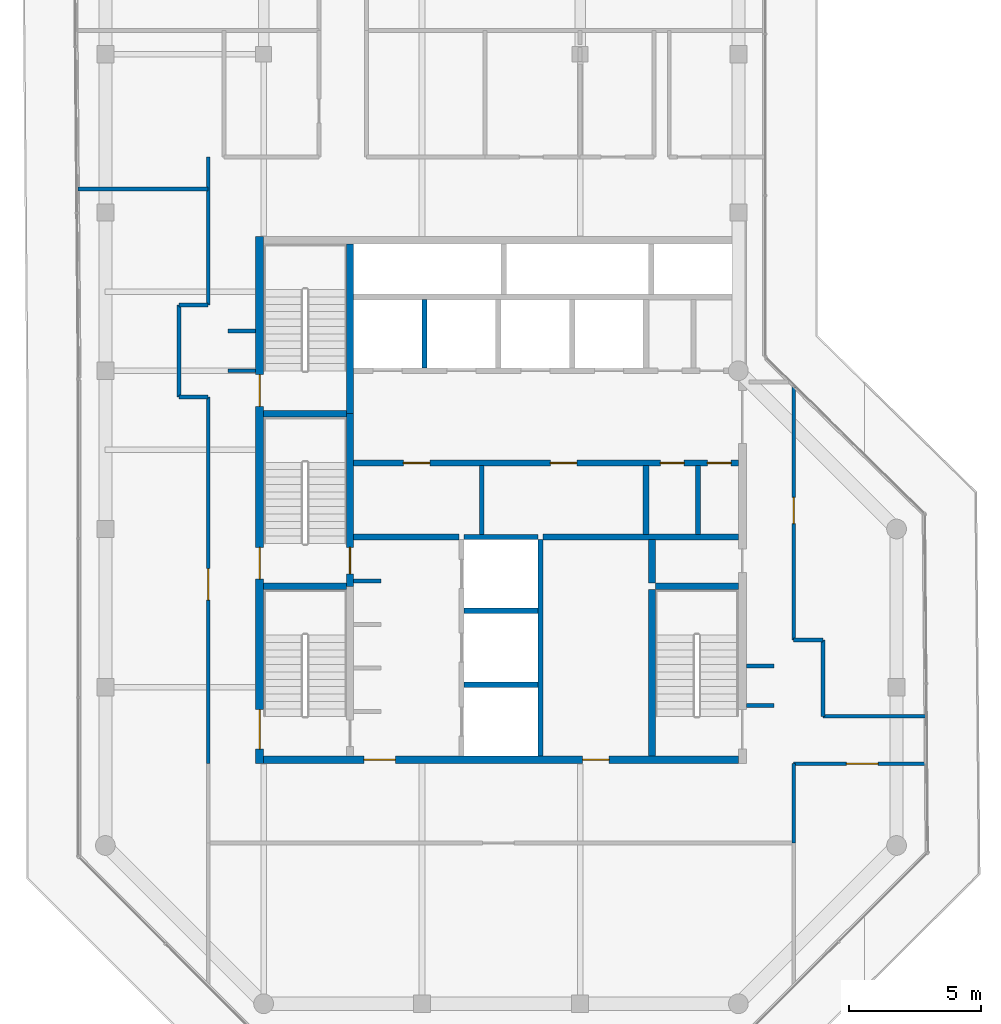
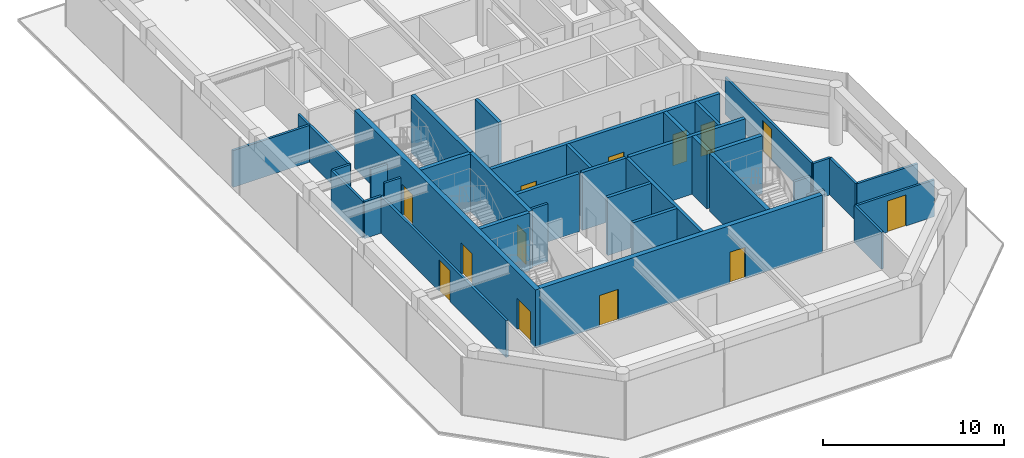
# One storey, part 17 of 21: 37 walls, 13 doors, 13 openings.
"""IFC4 building model written with IfcOpenShell, lengths in metres."""

from ifc_helpers import new_model, si_unit, direction, frame, frame_2d, origin, place, context, subcontext, project, spatial, rectangle, extrude, material, layer, layer_set, type_object, element, fill, save


model = new_model("IFC4")

# Units and contexts
model_context = context("Model", 3, precision=1e-05, world=origin(), true_north=direction((0.0, 1.0)))
body_context = subcontext(model_context, "Body", "Model", "MODEL_VIEW")
ifc_project = project(units=[si_unit("LENGTHUNIT", "METRE"), si_unit("AREAUNIT", "SQUARE_METRE"), si_unit("VOLUMEUNIT", "CUBIC_METRE"), si_unit("PLANEANGLEUNIT", "RADIAN"), si_unit("MASSUNIT", "GRAM", prefix="KILO")], contexts=[model_context])

# Site, building, storey
site_placement = place(None, origin())
site = spatial("IfcSite", under=ifc_project, at=site_placement, CompositionType="ELEMENT")
building_placement = place(site_placement, origin())
building = spatial("IfcBuilding", under=site, at=building_placement, Name="Welwitschia Terrace Campus", CompositionType="ELEMENT")
storey_placement = place(building_placement, frame((0.0, 0.0, 331.39990234375)))
storey = spatial("IfcBuildingStorey", under=building, at=storey_placement, Name="L74", CompositionType="ELEMENT", Elevation=331.39990234375)

# Walls
ifc_material_1 = material(Name="Concrete C32/40", Category="concrete")
ifc_layer_1 = layer(ifc_material_1, 0.175048828125)
ifc_layer_set_1 = layer_set([ifc_layer_1], Name="Concrete C32/40")
wall_type_1 = type_object("IfcWallType", Name="Core partition 175 Concrete C32/40", PredefinedType="PARTITIONING", material=ifc_layer_set_1)
for number, where, z_axis, x_axis, name in (
    (1, (14.27490234375, 13.800048828125, 0.0), (0.0, 0.0, 1.0), (0.0, 1.0, 0.0), "Core partition"),
    (2, (22.469970703125, 13.800048828125, 0.0), (0.0, 0.0, 1.0), (0.0, 1.0, 0.0), "Core partition"),
):
    element("IfcWall", number, at=place(storey_placement, frame(where, z_axis=z_axis, x_axis=x_axis)), inside=storey, type_object=wall_type_1, Name=name, PredefinedType="PARTITIONING", context=body_context, shape_type="SweptSolid", body=[
        extrude(rectangle(XDim=2.599853515625, YDim=0.175048828125, at=frame_2d((1.2998046875, 0.0))), origin(), (0.0, 0.0, 1.0), 3.900146484375),
    ])
ifc_material_2 = material(Name="Concrete C32/40", Category="concrete")
ifc_layer_2 = layer(ifc_material_2, 0.22509765625)
ifc_layer_set_2 = layer_set([ifc_layer_2], Name="Concrete C32/40")
wall_type_2 = type_object("IfcWallType", Name="Core partition 225 Concrete C32/40", PredefinedType="PARTITIONING", material=ifc_layer_set_2)
wall_1_placement = place(storey_placement, frame((9.39990234375, 13.699951171875, 0.0), z_axis=(0.0, 0.0, 1.0), x_axis=(1.0, 0.0, 0.0)))
element("IfcWall", 3, at=wall_1_placement, inside=storey, type_object=wall_type_2, Name="Core partition", PredefinedType="PARTITIONING", context=body_context, shape_type="SweptSolid", body=[
    extrude(rectangle(XDim=4.0, YDim=0.22509765625, at=frame_2d((2.0, 0.0))), origin(), (0.0, 0.0, 1.0), 3.900146484375),
])
wall_2_placement = place(storey_placement, frame((16.60009765625, 13.699951171875, 0.0), z_axis=(0.0, 0.0, 1.0), x_axis=(1.0, 0.0, 0.0)))
element("IfcWall", 4, at=wall_2_placement, inside=storey, type_object=wall_type_2, Name="Core partition", PredefinedType="PARTITIONING", context=body_context, shape_type="SweptSolid", body=[
    extrude(rectangle(XDim=7.39990234375, YDim=0.22509765625, at=frame_2d((3.699951171875, 0.0))), origin(), (0.0, 0.0, 1.0), 3.900146484375),
])

# Wall, openings, doors
wall_3_placement = place(storey_placement, frame((9.39990234375, 16.5, 0.0), z_axis=(0.0, 0.0, 1.0), x_axis=(1.0, 0.0, 0.0)))
wall_3 = element("IfcWall", 5, at=wall_3_placement, inside=storey, type_object=wall_type_2, Name="Core partition", PredefinedType="PARTITIONING", context=body_context, shape_type="SweptSolid", body=[
    extrude(rectangle(XDim=14.60009765625, YDim=0.22509765625, at=frame_2d((7.300048828125, 0.0))), origin(), (0.0, 0.0, 1.0), 3.900146484375),
])
opening_1_placement = place(wall_3_placement, frame((1.89990234375, 0.0, 0.0)))
opening_1 = element("IfcOpeningElement", 6, at=opening_1_placement, cuts=wall_3, Name="Opening DR10", PredefinedType="OPENING", context=body_context, shape_type="SweptSolid", body=[
    extrude(rectangle(XDim=1.0, YDim=2.10009765625, at=frame_2d((0.5, 1.050048828125))), frame((0.0, 0.12255859375, 0.0), z_axis=(0.0, -1.0, 0.0), x_axis=(1.0, 0.0, 0.0)), (0.0, 0.0, 1.0), 0.2451171875),
])
opening_2_placement = place(wall_3_placement, frame((7.47509765625, 0.0, 0.0)))
opening_2 = element("IfcOpeningElement", 7, at=opening_2_placement, cuts=wall_3, Name="Opening DR10", PredefinedType="OPENING", context=body_context, shape_type="SweptSolid", body=[
    extrude(rectangle(XDim=1.0, YDim=2.10009765625, at=frame_2d((0.5, 1.050048828125))), frame((0.0, 0.12255859375, 0.0), z_axis=(0.0, -1.0, 0.0), x_axis=(1.0, 0.0, 0.0)), (0.0, 0.0, 1.0), 0.2451171875),
])
opening_3_placement = place(wall_3_placement, frame((11.6474609375, 0.0, 0.0)))
opening_3 = element("IfcOpeningElement", 8, at=opening_3_placement, cuts=wall_3, Name="Opening DR09", PredefinedType="OPENING", context=body_context, shape_type="SweptSolid", body=[
    extrude(rectangle(XDim=0.89990234375, YDim=2.10009765625, at=frame_2d((0.449951171875, 1.050048828125))), frame((0.0, 0.12255859375, 0.0), z_axis=(0.0, -1.0, 0.0), x_axis=(1.0, 0.0, 0.0)), (0.0, 0.0, 1.0), 0.2451171875),
])
opening_4_placement = place(wall_3_placement, frame((13.422607421875, 0.0, 0.0)))
opening_4 = element("IfcOpeningElement", 9, at=opening_4_placement, cuts=wall_3, Name="Opening DR09", PredefinedType="OPENING", context=body_context, shape_type="SweptSolid", body=[
    extrude(rectangle(XDim=0.89990234375, YDim=2.10009765625, at=frame_2d((0.449951171875, 1.050048828125))), frame((0.0, 0.12255859375, 0.0), z_axis=(0.0, -1.0, 0.0), x_axis=(1.0, 0.0, 0.0)), (0.0, 0.0, 1.0), 0.2451171875),
])
ifc_material_3 = material(Name="Steel S275", Category="steel")
door_type_1 = type_object("IfcDoorType", Name="Core door DR09", OperationType="SINGLE_SWING_LEFT", PredefinedType="DOOR", material=ifc_material_3)
door_1_placement = place(opening_3_placement, origin())
door_1 = element("IfcDoor", 10, at=door_1_placement, inside=storey, type_object=door_type_1, Name="Door EL1-D", OperationType="SINGLE_SWING_RIGHT", OverallHeight=2.10009765625, OverallWidth=0.89990234375, PredefinedType="DOOR", context=body_context, shape_type="SweptSolid", body=[
    extrude(rectangle(XDim=0.89990234375, YDim=2.10009765625, at=frame_2d((0.449951171875, 1.050048828125))), frame((0.0, 0.02490234375, 0.0), z_axis=(0.0, -1.0, 0.0), x_axis=(1.0, 0.0, 0.0)), (0.0, 0.0, 1.0), 0.050048828125),
])
fill(opening_3, door_1)
door_2_placement = place(opening_4_placement, origin())
door_2 = element("IfcDoor", 11, at=door_2_placement, inside=storey, type_object=door_type_1, Name="Door EL2-D", OperationType="SINGLE_SWING_RIGHT", OverallHeight=2.10009765625, OverallWidth=0.89990234375, PredefinedType="DOOR", context=body_context, shape_type="SweptSolid", body=[
    extrude(rectangle(XDim=0.89990234375, YDim=2.10009765625, at=frame_2d((0.449951171875, 1.050048828125))), frame((0.0, 0.02490234375, 0.0), z_axis=(0.0, -1.0, 0.0), x_axis=(1.0, 0.0, 0.0)), (0.0, 0.0, 1.0), 0.050048828125),
])
fill(opening_4, door_2)
ifc_material_4 = material(Name="Steel S275", Category="steel")
door_type_2 = type_object("IfcDoorType", Name="Core door DR10", OperationType="SINGLE_SWING_LEFT", PredefinedType="DOOR", material=ifc_material_4)
door_3_placement = place(opening_1_placement, origin())
door_3 = element("IfcDoor", 12, at=door_3_placement, inside=storey, type_object=door_type_2, Name="Door BAYL1-D", OperationType="SINGLE_SWING_LEFT", OverallHeight=2.10009765625, OverallWidth=1.0, PredefinedType="DOOR", context=body_context, shape_type="SweptSolid", body=[
    extrude(rectangle(XDim=1.0, YDim=2.10009765625, at=frame_2d((0.5, 1.050048828125))), frame((0.0, 0.02490234375, 0.0), z_axis=(0.0, -1.0, 0.0), x_axis=(1.0, 0.0, 0.0)), (0.0, 0.0, 1.0), 0.050048828125),
])
fill(opening_1, door_3)
door_4_placement = place(opening_2_placement, origin())
door_4 = element("IfcDoor", 13, at=door_4_placement, inside=storey, type_object=door_type_2, Name="Door BAYL2-D", OperationType="SINGLE_SWING_RIGHT", OverallHeight=2.10009765625, OverallWidth=1.0, PredefinedType="DOOR", context=body_context, shape_type="SweptSolid", body=[
    extrude(rectangle(XDim=1.0, YDim=2.10009765625, at=frame_2d((0.5, 1.050048828125))), frame((0.0, 0.02490234375, 0.0), z_axis=(0.0, -1.0, 0.0), x_axis=(1.0, 0.0, 0.0)), (0.0, 0.0, 1.0), 0.050048828125),
])
fill(opening_2, door_4)

# Walls
wall_4_placement = place(storey_placement, frame((20.5, 13.800048828125, 0.0), z_axis=(0.0, 0.0, 1.0), x_axis=(0.0, 1.0, 0.0)))
element("IfcWall", 14, at=wall_4_placement, inside=storey, type_object=wall_type_2, Name="Core partition", PredefinedType="PARTITIONING", context=body_context, shape_type="SweptSolid", body=[
    extrude(rectangle(XDim=2.599853515625, YDim=0.22509765625, at=frame_2d((1.2998046875, 0.0))), origin(), (0.0, 0.0, 1.0), 3.900146484375),
])
ifc_material_5 = material(Name="Concrete C32/40", Category="concrete")
ifc_layer_3 = layer(ifc_material_5, 0.27490234375)
ifc_layer_set_3 = layer_set([ifc_layer_3], Name="Concrete C32/40")
wall_type_3 = type_object("IfcWallType", Name="Core partition 275 Concrete C32/40", PredefinedType="PARTITIONING", material=ifc_layer_set_3)
wall_5_placement = place(storey_placement, frame((20.72509765625, 11.949951171875, 0.0), z_axis=(0.0, 0.0, 1.0), x_axis=(0.0, 1.0, 0.0)))
element("IfcWall", 15, at=wall_5_placement, inside=storey, type_object=wall_type_3, Name="Core partition", PredefinedType="PARTITIONING", context=body_context, shape_type="SweptSolid", body=[
    extrude(rectangle(XDim=1.650146484375, YDim=0.27490234375, at=frame_2d((0.8251953125, 0.0))), origin(), (0.0, 0.0, 1.0), 3.900146484375),
])
ifc_material_6 = material(Name="Concrete C50/60", Category="concrete")
ifc_layer_4 = layer(ifc_material_6, 0.14990234375)
ifc_layer_set_4 = layer_set([ifc_layer_4], Name="Concrete C50/60")
wall_type_4 = type_object("IfcWallType", Name="Core wall 150 Concrete C50/60", PredefinedType="SHEAR", material=ifc_layer_set_4)
wall_6_placement = place(storey_placement, frame((9.39990234375, 12.02490234375, 0.0), z_axis=(0.0, 0.0, 1.0), x_axis=(1.0, 0.0, 0.0)))
element("IfcWall", 16, at=wall_6_placement, inside=storey, type_object=wall_type_4, Name="Core wall", PredefinedType="SHEAR", context=body_context, shape_type="SweptSolid", body=[
    extrude(rectangle(XDim=1.050048828125, YDim=0.14990234375, at=frame_2d((0.52490234375, 0.0))), origin(), (0.0, 0.0, 1.0), 3.900146484375),
])
ifc_material_7 = material(Name="Concrete C50/60", Category="concrete")
ifc_layer_5 = layer(ifc_material_7, 0.199951171875)
ifc_layer_set_5 = layer_set([ifc_layer_5], Name="Concrete C50/60")
wall_type_5 = type_object("IfcWallType", Name="Core wall 200 Concrete C50/60", PredefinedType="SHEAR", material=ifc_layer_set_5)
for number, where, z_axis, x_axis, name in (
    (17, (13.60009765625, 8.10009765625, 0.0), (0.0, 0.0, 1.0), (1.0, 0.0, 0.0), "Core wall"),
    (18, (13.60009765625, 10.89990234375, 0.0), (0.0, 0.0, 1.0), (1.0, 0.0, 0.0), "Core wall"),
    (19, (13.60009765625, 13.699951171875, 0.0), (0.0, 0.0, 1.0), (1.0, 0.0, 0.0), "Core wall"),
):
    element("IfcWall", number, at=place(storey_placement, frame(where, z_axis=z_axis, x_axis=x_axis)), inside=storey, type_object=wall_type_5, Name=name, PredefinedType="SHEAR", context=body_context, shape_type="SweptSolid", body=[
        extrude(rectangle(XDim=2.7998046875, YDim=0.199951171875, at=frame_2d((1.39990234375, 0.0))), origin(), (0.0, 0.0, 1.0), 3.900146484375),
    ])
wall_7_placement = place(storey_placement, frame((16.5, 5.39990234375, 0.0), z_axis=(0.0, 0.0, 1.0), x_axis=(0.0, 1.0, 0.0)))
element("IfcWall", 20, at=wall_7_placement, inside=storey, type_object=wall_type_5, Name="Core wall", PredefinedType="SHEAR", context=body_context, shape_type="SweptSolid", body=[
    extrude(rectangle(XDim=8.2001953125, YDim=0.199951171875, at=frame_2d((4.10009765625, 0.0))), origin(), (0.0, 0.0, 1.0), 3.900146484375),
])
ifc_material_8 = material(Name="Concrete C50/60", Category="concrete")
ifc_layer_6 = layer(ifc_material_8, 0.25)
ifc_layer_set_6 = layer_set([ifc_layer_6], Name="Concrete C50/60")
wall_type_6 = type_object("IfcWallType", Name="Core wall 250 Concrete C50/60", PredefinedType="SHEAR", material=ifc_layer_set_6)
for number, where, z_axis, x_axis, name in (
    (21, (6.0, 11.824951171875, 0.0), (0.0, 0.0, 1.0), (1.0, 0.0, 0.0), "Core wall"),
    (22, (20.85009765625, 11.824951171875, 0.0), (0.0, 0.0, 1.0), (1.0, 0.0, 0.0), "Core wall"),
    (23, (6.0, 18.375, 0.0), (0.0, 0.0, 1.0), (1.0, 0.0, 0.0), "Core wall"),
):
    element("IfcWall", number, at=place(storey_placement, frame(where, z_axis=z_axis, x_axis=x_axis)), inside=storey, type_object=wall_type_6, Name=name, PredefinedType="SHEAR", context=body_context, shape_type="SweptSolid", body=[
        extrude(rectangle(XDim=3.14990234375, YDim=0.25, at=frame_2d((1.574951171875, 0.0))), origin(), (0.0, 0.0, 1.0), 3.900146484375),
    ])

# Wall, opening, door
wall_8_placement = place(storey_placement, frame((9.27490234375, 18.375, 0.0), z_axis=(0.0, 0.0, 1.0), x_axis=(0.0, -1.0, 0.0)))
wall_8 = element("IfcWall", 24, at=wall_8_placement, inside=storey, type_object=wall_type_6, Name="Core wall", PredefinedType="SHEAR", context=body_context, shape_type="SweptSolid", body=[
    extrude(rectangle(XDim=6.550048828125, YDim=0.25, at=frame_2d((3.27490234375, 0.0))), origin(), (0.0, 0.0, 1.0), 3.900146484375),
])
opening_5_placement = place(wall_8_placement, frame((5.074951171875, 0.0, 0.0)))
opening_5 = element("IfcOpeningElement", 25, at=opening_5_placement, cuts=wall_8, Name="Opening DS10", PredefinedType="OPENING", context=body_context, shape_type="SweptSolid", body=[
    extrude(rectangle(XDim=1.0, YDim=2.10009765625, at=frame_2d((0.5, 1.050048828125))), frame((0.0, 0.135009765625, 0.0), z_axis=(0.0, -1.0, 0.0), x_axis=(1.0, 0.0, 0.0)), (0.0, 0.0, 1.0), 0.27001953125),
])
ifc_material_9 = material(Name="Steel S275", Category="steel")
door_type_3 = type_object("IfcDoorType", Name="Core door DS10", OperationType="SINGLE_SWING_LEFT", PredefinedType="DOOR", material=ifc_material_9)
door_5_placement = place(opening_5_placement, origin())
door_5 = element("IfcDoor", 26, at=door_5_placement, inside=storey, type_object=door_type_3, Name="Door S3-FL", OperationType="SINGLE_SWING_RIGHT", OverallHeight=2.10009765625, OverallWidth=1.0, PredefinedType="DOOR", context=body_context, shape_type="SweptSolid", body=[
    extrude(rectangle(XDim=1.0, YDim=2.10009765625, at=frame_2d((0.5, 1.050048828125))), frame((0.0, 0.02490234375, 0.0), z_axis=(0.0, -1.0, 0.0), x_axis=(1.0, 0.0, 0.0)), (0.0, 0.0, 1.0), 0.050048828125),
])
fill(opening_5, door_5)

# Walls
wall_9_placement = place(storey_placement, frame((9.27490234375, 18.375, 0.0), z_axis=(0.0, 0.0, 1.0), x_axis=(0.0, 1.0, 0.0)))
element("IfcWall", 27, at=wall_9_placement, inside=storey, type_object=wall_type_6, Name="Core wall", PredefinedType="SHEAR", context=body_context, shape_type="SweptSolid", body=[
    extrude(rectangle(XDim=6.425048828125, YDim=0.25, at=frame_2d((3.21240234375, 0.0))), origin(), (0.0, 0.0, 1.0), 3.900146484375),
])
wall_10_placement = place(storey_placement, frame((20.72509765625, 5.39990234375, 0.0), z_axis=(0.0, 0.0, 1.0), x_axis=(0.0, 1.0, 0.0)))
element("IfcWall", 28, at=wall_10_placement, inside=storey, type_object=wall_type_6, Name="Core wall", PredefinedType="SHEAR", context=body_context, shape_type="SweptSolid", body=[
    extrude(rectangle(XDim=6.300048828125, YDim=0.25, at=frame_2d((3.14990234375, 0.0))), origin(), (0.0, 0.0, 1.0), 3.900146484375),
])

# Wall, openings, doors
ifc_material_10 = material(Name="Concrete C50/60", Category="concrete")
ifc_layer_7 = layer(ifc_material_10, 0.300048828125)
ifc_layer_set_7 = layer_set([ifc_layer_7], Name="Concrete C50/60")
wall_type_7 = type_object("IfcWallType", Name="Core wall 300 Concrete C50/60", PredefinedType="SHEAR", material=ifc_layer_set_7)
wall_11_placement = place(storey_placement, frame((5.85009765625, 5.10009765625, 0.0), z_axis=(0.0, 0.0, 1.0), x_axis=(0.0, 1.0, 0.0)))
wall_11 = element("IfcWall", 29, at=wall_11_placement, inside=storey, type_object=wall_type_7, Name="Core outer wall", PredefinedType="SHEAR", context=body_context, shape_type="SweptSolid", body=[
    extrude(rectangle(XDim=20.0, YDim=0.300048828125, at=frame_2d((10.0, 0.0))), origin(), (0.0, 0.0, 1.0), 3.900146484375),
])
opening_6_placement = place(wall_11_placement, frame((0.550048828125, 0.0, 0.0)))
opening_6 = element("IfcOpeningElement", 30, at=opening_6_placement, cuts=wall_11, Name="Opening DS15", PredefinedType="OPENING", context=body_context, shape_type="SweptSolid", body=[
    extrude(rectangle(XDim=1.5, YDim=2.10009765625, at=frame_2d((0.75, 1.050048828125))), frame((0.0, 0.159912109375, 0.0), z_axis=(0.0, -1.0, 0.0), x_axis=(1.0, 0.0, 0.0)), (0.0, 0.0, 1.0), 0.320068359375),
])
opening_7_placement = place(wall_11_placement, frame((7.0, 0.0, 0.0)))
opening_7 = element("IfcOpeningElement", 31, at=opening_7_placement, cuts=wall_11, Name="Opening DS12", PredefinedType="OPENING", context=body_context, shape_type="SweptSolid", body=[
    extrude(rectangle(XDim=1.199951171875, YDim=2.10009765625, at=frame_2d((0.60009765625, 1.050048828125))), frame((0.0, 0.159912109375, 0.0), z_axis=(0.0, -1.0, 0.0), x_axis=(1.0, 0.0, 0.0)), (0.0, 0.0, 1.0), 0.320068359375),
])
opening_8_placement = place(wall_11_placement, frame((13.550048828125, 0.0, 0.0)))
opening_8 = element("IfcOpeningElement", 32, at=opening_8_placement, cuts=wall_11, Name="Opening DS12", PredefinedType="OPENING", context=body_context, shape_type="SweptSolid", body=[
    extrude(rectangle(XDim=1.199951171875, YDim=2.10009765625, at=frame_2d((0.60009765625, 1.050048828125))), frame((0.0, 0.159912109375, 0.0), z_axis=(0.0, -1.0, 0.0), x_axis=(1.0, 0.0, 0.0)), (0.0, 0.0, 1.0), 0.320068359375),
])
ifc_material_11 = material(Name="Steel S275", Category="steel")
door_type_4 = type_object("IfcDoorType", Name="Core door DS12", OperationType="SINGLE_SWING_LEFT", PredefinedType="DOOR", material=ifc_material_11)
door_6_placement = place(opening_7_placement, origin())
door_6 = element("IfcDoor", 33, at=door_6_placement, inside=storey, type_object=door_type_4, Name="Door S3-out", OperationType="SINGLE_SWING_LEFT", OverallHeight=2.10009765625, OverallWidth=1.199951171875, PredefinedType="DOOR", context=body_context, shape_type="SweptSolid", body=[
    extrude(rectangle(XDim=1.199951171875, YDim=2.10009765625, at=frame_2d((0.60009765625, 1.050048828125))), frame((0.0, 0.02490234375, 0.0), z_axis=(0.0, -1.0, 0.0), x_axis=(1.0, 0.0, 0.0)), (0.0, 0.0, 1.0), 0.050048828125),
])
fill(opening_7, door_6)
door_7_placement = place(opening_8_placement, origin())
door_7 = element("IfcDoor", 34, at=door_7_placement, inside=storey, type_object=door_type_4, Name="Door S4-out", OperationType="SINGLE_SWING_RIGHT", OverallHeight=2.10009765625, OverallWidth=1.199951171875, PredefinedType="DOOR", context=body_context, shape_type="SweptSolid", body=[
    extrude(rectangle(XDim=1.199951171875, YDim=2.10009765625, at=frame_2d((0.60009765625, 1.050048828125))), frame((0.0, 0.02490234375, 0.0), z_axis=(0.0, -1.0, 0.0), x_axis=(1.0, 0.0, 0.0)), (0.0, 0.0, 1.0), 0.050048828125),
])
fill(opening_8, door_7)
ifc_material_12 = material(Name="Steel S275", Category="steel")
door_type_5 = type_object("IfcDoorType", Name="Core door DS15", OperationType="DOUBLE_DOOR_SINGLE_SWING", PredefinedType="DOOR", material=ifc_material_12)
door_8_placement = place(opening_6_placement, origin())
door_8 = element("IfcDoor", 35, at=door_8_placement, inside=storey, type_object=door_type_5, Name="Door S1-out", OperationType="DOUBLE_DOOR_SINGLE_SWING", OverallHeight=2.10009765625, OverallWidth=1.5, PredefinedType="DOOR", context=body_context, shape_type="SweptSolid", body=[
    extrude(rectangle(XDim=1.5, YDim=2.10009765625, at=frame_2d((0.75, 1.050048828125))), frame((0.0, 0.02490234375, 0.0), z_axis=(0.0, -1.0, 0.0), x_axis=(1.0, 0.0, 0.0)), (0.0, 0.0, 1.0), 0.050048828125),
])
fill(opening_6, door_8)

wall_12_placement = place(storey_placement, frame((24.0, 5.25, 0.0), z_axis=(0.0, 0.0, 1.0), x_axis=(-1.0, 0.0, 0.0)))
wall_12 = element("IfcWall", 36, at=wall_12_placement, inside=storey, type_object=wall_type_7, Name="Core outer wall", PredefinedType="SHEAR", context=body_context, shape_type="SweptSolid", body=[
    extrude(rectangle(XDim=18.0, YDim=0.300048828125, at=frame_2d((9.0, 0.0))), origin(), (0.0, 0.0, 1.0), 3.900146484375),
])
opening_9_placement = place(wall_12_placement, frame((13.0, 0.0, 0.0)))
opening_9 = element("IfcOpeningElement", 37, at=opening_9_placement, cuts=wall_12, Name="Opening DF12", PredefinedType="OPENING", context=body_context, shape_type="SweptSolid", body=[
    extrude(rectangle(XDim=1.199951171875, YDim=2.10009765625, at=frame_2d((0.60009765625, 1.050048828125))), frame((0.0, 0.159912109375, 0.0), z_axis=(0.0, -1.0, 0.0), x_axis=(1.0, 0.0, 0.0)), (0.0, 0.0, 1.0), 0.320068359375),
])
opening_10_placement = place(wall_12_placement, frame((4.89990234375, 0.0, 0.0)))
opening_10 = element("IfcOpeningElement", 38, at=opening_10_placement, cuts=wall_12, Name="Opening DR10", PredefinedType="OPENING", context=body_context, shape_type="SweptSolid", body=[
    extrude(rectangle(XDim=1.0, YDim=2.10009765625, at=frame_2d((0.5, 1.050048828125))), frame((0.0, 0.159912109375, 0.0), z_axis=(0.0, -1.0, 0.0), x_axis=(1.0, 0.0, 0.0)), (0.0, 0.0, 1.0), 0.320068359375),
])
ifc_material_13 = material(Name="Steel S275", Category="steel")
door_type_6 = type_object("IfcDoorType", Name="Core door DF12", OperationType="SINGLE_SWING_LEFT", PredefinedType="DOOR", material=ifc_material_13)
door_9_placement = place(opening_9_placement, origin())
door_9 = element("IfcDoor", 39, at=door_9_placement, inside=storey, type_object=door_type_6, Name="Door FL-out", OperationType="SINGLE_SWING_RIGHT", OverallHeight=2.10009765625, OverallWidth=1.199951171875, PredefinedType="DOOR", context=body_context, shape_type="SweptSolid", body=[
    extrude(rectangle(XDim=1.199951171875, YDim=2.10009765625, at=frame_2d((0.60009765625, 1.050048828125))), frame((0.0, 0.02490234375, 0.0), z_axis=(0.0, -1.0, 0.0), x_axis=(1.0, 0.0, 0.0)), (0.0, 0.0, 1.0), 0.050048828125),
])
fill(opening_9, door_9)
door_10_placement = place(opening_10_placement, origin())
door_10 = element("IfcDoor", 40, at=door_10_placement, inside=storey, type_object=door_type_2, Name="Door F1-out", OperationType="SINGLE_SWING_LEFT", OverallHeight=2.10009765625, OverallWidth=1.0, PredefinedType="DOOR", context=body_context, shape_type="SweptSolid", body=[
    extrude(rectangle(XDim=1.0, YDim=2.10009765625, at=frame_2d((0.5, 1.050048828125))), frame((0.0, 0.02490234375, 0.0), z_axis=(0.0, -1.0, 0.0), x_axis=(1.0, 0.0, 0.0)), (0.0, 0.0, 1.0), 0.050048828125),
])
fill(opening_10, door_10)

# Walls
ifc_material_14 = material(Name="Gypsum board on steel studs", Category="steel")
ifc_layer_8 = layer(ifc_material_14, 0.14990234375)
ifc_layer_set_8 = layer_set([ifc_layer_8], Name="Gypsum board on steel studs")
wall_type_8 = type_object("IfcWallType", Name="Corridor partition 150 EI 30", PredefinedType="PARTITIONING", material=ifc_layer_set_8)
wall_13_placement = place(storey_placement, frame((-1.0400390625, 26.89990234375, 0.0), z_axis=(0.0, 0.0, 1.0), x_axis=(1.0, 0.0, 0.0)))
element("IfcWall", 41, at=wall_13_placement, inside=storey, type_object=wall_type_8, Name="Partition", PredefinedType="PARTITIONING", context=body_context, shape_type="SweptSolid", body=[
    extrude(rectangle(XDim=4.93994140625, YDim=0.14990234375, at=frame_2d((2.469970703125, 0.0))), origin(), (0.0, 0.0, 1.0), 2.47998046875),
])
wall_14_placement = place(storey_placement, frame((2.7900390625, 19.0, 0.0), z_axis=(0.0, 0.0, 1.0), x_axis=(0.0, 1.0, 0.0)))
element("IfcWall", 42, at=wall_14_placement, inside=storey, type_object=wall_type_8, Name="Partition", PredefinedType="PARTITIONING", context=body_context, shape_type="SweptSolid", body=[
    extrude(rectangle(XDim=3.5, YDim=0.14990234375, at=frame_2d((1.75, 0.0))), origin(), (0.0, 0.0, 1.0), 2.47998046875),
])
for number, where, z_axis, x_axis, name in (
    (43, (2.7900390625, 19.0, 0.0), (0.0, 0.0, 1.0), (1.0, 0.0, 0.0), "Partition"),
    (44, (2.7900390625, 22.5, 0.0), (0.0, 0.0, 1.0), (1.0, 0.0, 0.0), "Partition"),
):
    element("IfcWall", number, at=place(storey_placement, frame(where, z_axis=z_axis, x_axis=x_axis)), inside=storey, type_object=wall_type_8, Name=name, PredefinedType="PARTITIONING", context=body_context, shape_type="SweptSolid", body=[
        extrude(rectangle(XDim=1.10986328125, YDim=0.14990234375, at=frame_2d((0.554931640625, 0.0))), origin(), (0.0, 0.0, 1.0), 2.47998046875),
    ])

# Wall, opening, door
wall_15_placement = place(storey_placement, frame((3.89990234375, 5.10009765625, 0.0), z_axis=(0.0, 0.0, 1.0), x_axis=(0.0, 1.0, 0.0)))
wall_15 = element("IfcWall", 45, at=wall_15_placement, inside=storey, type_object=wall_type_8, Name="Partition", PredefinedType="PARTITIONING", context=body_context, shape_type="SweptSolid", body=[
    extrude(rectangle(XDim=13.89990234375, YDim=0.14990234375, at=frame_2d((6.949951171875, 0.0))), origin(), (0.0, 0.0, 1.0), 2.47998046875),
])
opening_11_placement = place(wall_15_placement, frame((6.199951171875, 0.0, 0.0)))
opening_11 = element("IfcOpeningElement", 46, at=opening_11_placement, cuts=wall_15, Name="Opening DI12", PredefinedType="OPENING", context=body_context, shape_type="SweptSolid", body=[
    extrude(rectangle(XDim=1.199951171875, YDim=2.10009765625, at=frame_2d((0.60009765625, 1.050048828125))), frame((0.0, 0.0849609375, 0.0), z_axis=(0.0, -1.0, 0.0), x_axis=(1.0, 0.0, 0.0)), (0.0, 0.0, 1.0), 0.169921875),
])
ifc_material_15 = material(Name="Timber veneered door", Category="wood")
door_type_7 = type_object("IfcDoorType", Name="Interior door DI12", OperationType="NOTDEFINED", PredefinedType="DOOR", material=ifc_material_15)
door_11_placement = place(opening_11_placement, origin())
door_11 = element("IfcDoor", 47, at=door_11_placement, inside=storey, type_object=door_type_7, Name="Door L74 1279", OperationType="SINGLE_SWING_RIGHT", OverallHeight=2.10009765625, OverallWidth=1.199951171875, PredefinedType="DOOR", context=body_context, shape_type="SweptSolid", body=[
    extrude(rectangle(XDim=1.199951171875, YDim=2.10009765625, at=frame_2d((0.60009765625, 1.050048828125))), frame((0.0, 0.02490234375, 0.0), z_axis=(0.0, -1.0, 0.0), x_axis=(1.0, 0.0, 0.0)), (0.0, 0.0, 1.0), 0.050048828125),
])
fill(opening_11, door_11)

# Walls
wall_16_placement = place(storey_placement, frame((3.89990234375, 22.5, 0.0), z_axis=(0.0, 0.0, 1.0), x_axis=(0.0, 1.0, 0.0)))
element("IfcWall", 48, at=wall_16_placement, inside=storey, type_object=wall_type_8, Name="Partition", PredefinedType="PARTITIONING", context=body_context, shape_type="SweptSolid", body=[
    extrude(rectangle(XDim=5.60009765625, YDim=0.14990234375, at=frame_2d((2.800048828125, 0.0))), origin(), (0.0, 0.0, 1.0), 2.47998046875),
])
for number, where, z_axis, x_axis, name in (
    (49, (4.64990234375, 20.0, 0.0), (0.0, 0.0, 1.0), (1.0, 0.0, 0.0), "Partition"),
    (50, (4.64990234375, 21.5, 0.0), (0.0, 0.0, 1.0), (1.0, 0.0, 0.0), "Partition"),
    (51, (24.300048828125, 7.300048828125, 0.0), (0.0, 0.0, 1.0), (1.0, 0.0, 0.0), "Partition"),
    (52, (24.300048828125, 8.800048828125, 0.0), (0.0, 0.0, 1.0), (1.0, 0.0, 0.0), "Partition"),
):
    element("IfcWall", number, at=place(storey_placement, frame(where, z_axis=z_axis, x_axis=x_axis)), inside=storey, type_object=wall_type_8, Name=name, PredefinedType="PARTITIONING", context=body_context, shape_type="SweptSolid", body=[
        extrude(rectangle(XDim=1.050048828125, YDim=0.14990234375, at=frame_2d((0.52490234375, 0.0))), origin(), (0.0, 0.0, 1.0), 2.47998046875),
    ])
wall_17_placement = place(storey_placement, frame((26.10009765625, 2.10009765625, 0.0), z_axis=(0.0, 0.0, 1.0), x_axis=(0.0, 1.0, 0.0)))
element("IfcWall", 53, at=wall_17_placement, inside=storey, type_object=wall_type_8, Name="Partition", PredefinedType="PARTITIONING", context=body_context, shape_type="SweptSolid", body=[
    extrude(rectangle(XDim=3.0, YDim=0.14990234375, at=frame_2d((1.5, 0.0))), origin(), (0.0, 0.0, 1.0), 2.47998046875),
])
wall_18_placement = place(storey_placement, frame((26.10009765625, 9.800048828125, 0.0), z_axis=(0.0, 0.0, 1.0), x_axis=(1.0, 0.0, 0.0)))
element("IfcWall", 54, at=wall_18_placement, inside=storey, type_object=wall_type_8, Name="Partition", PredefinedType="PARTITIONING", context=body_context, shape_type="SweptSolid", body=[
    extrude(rectangle(XDim=1.10986328125, YDim=0.14990234375, at=frame_2d((0.554931640625, 0.0))), origin(), (0.0, 0.0, 1.0), 2.47998046875),
])

# Wall, opening, door
wall_19_placement = place(storey_placement, frame((26.10009765625, 19.389892578125, 0.0), z_axis=(0.0, 0.0, 1.0), x_axis=(0.0, -1.0, 0.0)))
wall_19 = element("IfcWall", 55, at=wall_19_placement, inside=storey, type_object=wall_type_8, Name="Partition", PredefinedType="PARTITIONING", context=body_context, shape_type="SweptSolid", body=[
    extrude(rectangle(XDim=9.58984375, YDim=0.14990234375, at=frame_2d((4.794921875, 0.0))), origin(), (0.0, 0.0, 1.0), 2.47998046875),
])
opening_12_placement = place(wall_19_placement, frame((4.18994140625, 0.0, 0.0)))
opening_12 = element("IfcOpeningElement", 56, at=opening_12_placement, cuts=wall_19, Name="Opening DI10", PredefinedType="OPENING", context=body_context, shape_type="SweptSolid", body=[
    extrude(rectangle(XDim=1.0, YDim=2.10009765625, at=frame_2d((0.5, 1.050048828125))), frame((0.0, 0.0849609375, 0.0), z_axis=(0.0, -1.0, 0.0), x_axis=(1.0, 0.0, 0.0)), (0.0, 0.0, 1.0), 0.169921875),
])
ifc_material_16 = material(Name="Timber veneered door", Category="wood")
door_type_8 = type_object("IfcDoorType", Name="Interior door DI10", OperationType="NOTDEFINED", PredefinedType="DOOR", material=ifc_material_16)
door_12_placement = place(opening_12_placement, origin())
door_12 = element("IfcDoor", 57, at=door_12_placement, inside=storey, type_object=door_type_8, Name="Door L74 1288", OperationType="SINGLE_SWING_LEFT", OverallHeight=2.10009765625, OverallWidth=1.0, PredefinedType="DOOR", context=body_context, shape_type="SweptSolid", body=[
    extrude(rectangle(XDim=1.0, YDim=2.10009765625, at=frame_2d((0.5, 1.050048828125))), frame((0.0, 0.02490234375, 0.0), z_axis=(0.0, -1.0, 0.0), x_axis=(1.0, 0.0, 0.0)), (0.0, 0.0, 1.0), 0.050048828125),
])
fill(opening_12, door_12)

# Walls
wall_20_placement = place(storey_placement, frame((27.2099609375, 6.89990234375, 0.0), z_axis=(0.0, 0.0, 1.0), x_axis=(0.0, 1.0, 0.0)))
element("IfcWall", 58, at=wall_20_placement, inside=storey, type_object=wall_type_8, Name="Partition", PredefinedType="PARTITIONING", context=body_context, shape_type="SweptSolid", body=[
    extrude(rectangle(XDim=2.900146484375, YDim=0.14990234375, at=frame_2d((1.4501953125, 0.0))), origin(), (0.0, 0.0, 1.0), 2.47998046875),
])
wall_21_placement = place(storey_placement, frame((27.2099609375, 6.89990234375, 0.0), z_axis=(0.0, 0.0, 1.0), x_axis=(1.0, 0.0, 0.0)))
element("IfcWall", 59, at=wall_21_placement, inside=storey, type_object=wall_type_8, Name="Partition", PredefinedType="PARTITIONING", context=body_context, shape_type="SweptSolid", body=[
    extrude(rectangle(XDim=3.880126953125, YDim=0.14990234375, at=frame_2d((1.93994140625, 0.0))), origin(), (0.0, 0.0, 1.0), 2.47998046875),
])

# Wall, opening, door
wall_22_placement = place(storey_placement, frame((31.110107421875, 5.10009765625, 0.0), z_axis=(0.0, 0.0, 1.0), x_axis=(-1.0, 0.0, 0.0)))
wall_22 = element("IfcWall", 60, at=wall_22_placement, inside=storey, type_object=wall_type_8, Name="Partition", PredefinedType="PARTITIONING", context=body_context, shape_type="SweptSolid", body=[
    extrude(rectangle(XDim=5.010009765625, YDim=0.14990234375, at=frame_2d((2.5048828125, 0.0))), origin(), (0.0, 0.0, 1.0), 2.47998046875),
])
opening_13_placement = place(wall_22_placement, frame((1.81005859375, 0.0, 0.0)))
opening_13 = element("IfcOpeningElement", 61, at=opening_13_placement, cuts=wall_22, Name="Opening DI12", PredefinedType="OPENING", context=body_context, shape_type="SweptSolid", body=[
    extrude(rectangle(XDim=1.199951171875, YDim=2.10009765625, at=frame_2d((0.60009765625, 1.050048828125))), frame((0.0, 0.0849609375, 0.0), z_axis=(0.0, -1.0, 0.0), x_axis=(1.0, 0.0, 0.0)), (0.0, 0.0, 1.0), 0.169921875),
])
door_13_placement = place(opening_13_placement, origin())
door_13 = element("IfcDoor", 62, at=door_13_placement, inside=storey, type_object=door_type_7, Name="Door L74 1289", OperationType="SINGLE_SWING_RIGHT", OverallHeight=2.10009765625, OverallWidth=1.199951171875, PredefinedType="DOOR", context=body_context, shape_type="SweptSolid", body=[
    extrude(rectangle(XDim=1.199951171875, YDim=2.10009765625, at=frame_2d((0.60009765625, 1.050048828125))), frame((0.0, 0.02490234375, 0.0), z_axis=(0.0, -1.0, 0.0), x_axis=(1.0, 0.0, 0.0)), (0.0, 0.0, 1.0), 0.050048828125),
])
fill(opening_13, door_13)

# Wall
ifc_material_17 = material(Name="Concrete C32/40", Category="concrete")
ifc_layer_9 = layer(ifc_material_17, 0.199951171875)
ifc_layer_set_9 = layer_set([ifc_layer_9], Name="Concrete C32/40")
wall_type_9 = type_object("IfcWallType", Name="Shaft wall 200 Concrete C32/40", PredefinedType="SOLIDWALL", material=ifc_layer_set_9)
wall_23_placement = place(storey_placement, frame((12.10009765625, 20.10009765625, 0.0), z_axis=(0.0, 0.0, 1.0), x_axis=(0.0, 1.0, 0.0)))
element("IfcWall", 63, at=wall_23_placement, inside=storey, type_object=wall_type_9, Name="Shaft wall", PredefinedType="SOLIDWALL", context=body_context, shape_type="SweptSolid", body=[
    extrude(rectangle(XDim=2.599853515625, YDim=0.199951171875, at=frame_2d((1.2998046875, 0.0))), origin(), (0.0, 0.0, 1.0), 3.900146484375),
])

save(model, "model.ifc")
